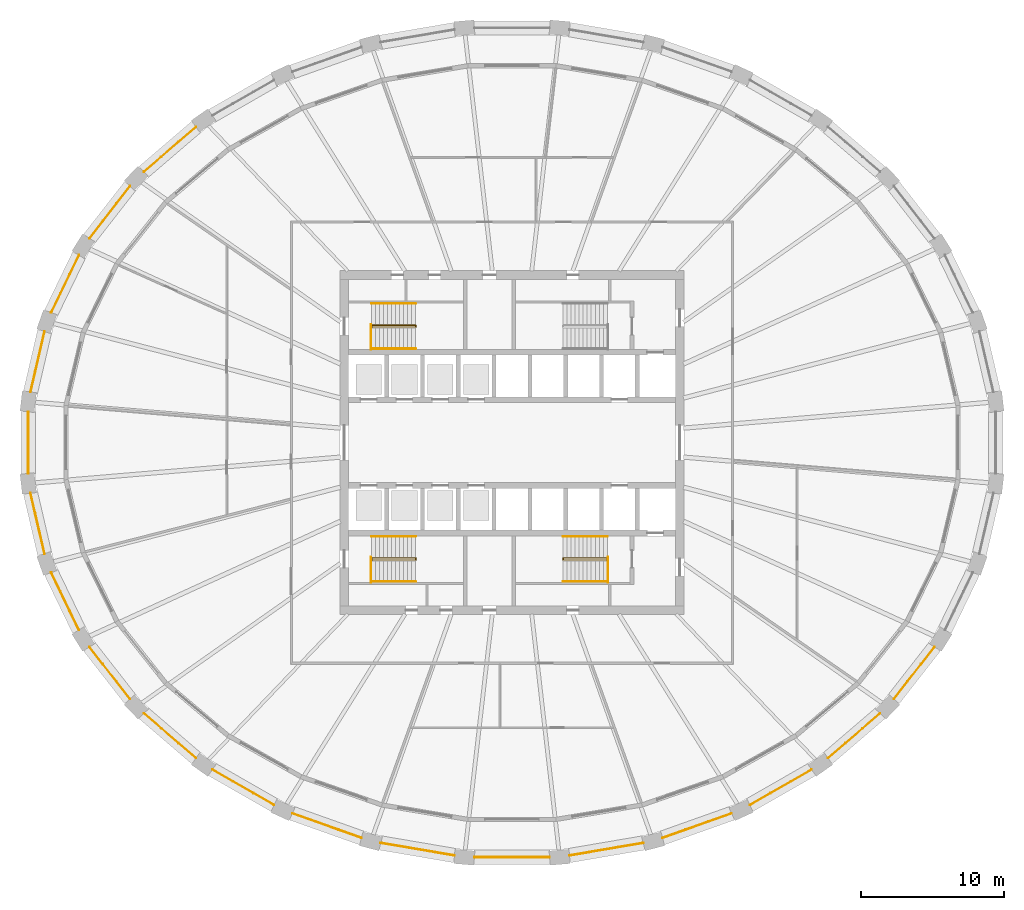
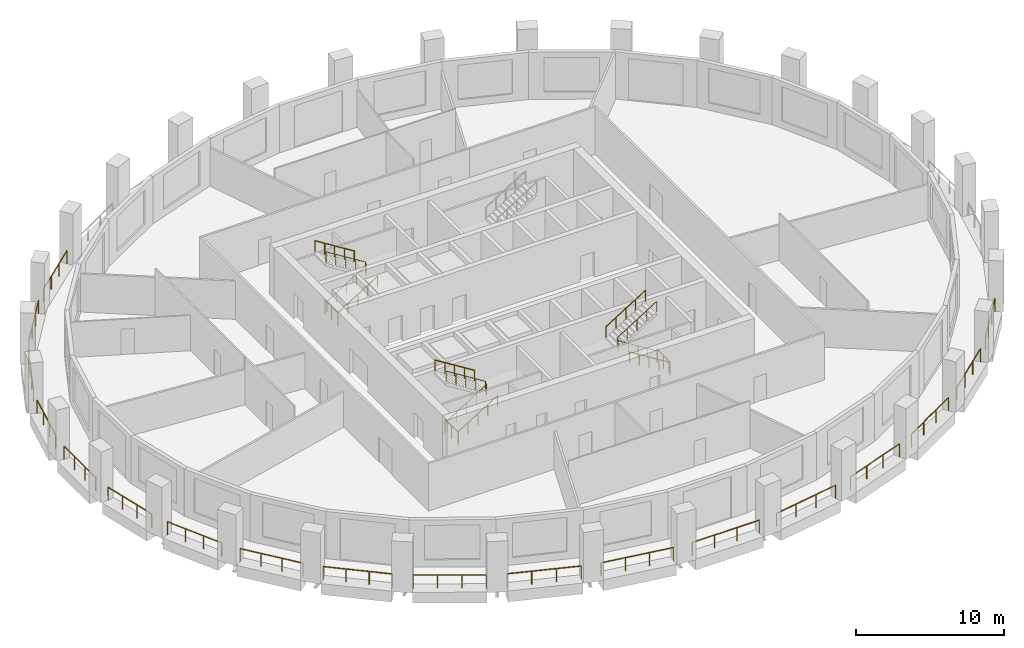
# One storey, part 8 of 10: 30 railings.
"""IFC4 building model written with IfcOpenShell, lengths in metres."""

from ifc_helpers import new_model, si_unit, direction, frame, origin, origin_2d, place, context, subcontext, project, spatial, circle, extrude, material, type_object, element, save


model = new_model("IFC4")

# Units and contexts
model_context = context("Model", 3, precision=1e-05, world=origin(), true_north=direction((0.0, 1.0)))
body_context = subcontext(model_context, "Body", "Model", "MODEL_VIEW")
ifc_project = project(units=[si_unit("LENGTHUNIT", "METRE"), si_unit("AREAUNIT", "SQUARE_METRE"), si_unit("VOLUMEUNIT", "CUBIC_METRE"), si_unit("PLANEANGLEUNIT", "RADIAN"), si_unit("MASSUNIT", "GRAM", prefix="KILO")], contexts=[model_context])

# Site, building, storey
site_placement = place(None, origin())
site = spatial("IfcSite", under=ifc_project, at=site_placement, CompositionType="ELEMENT")
building_placement = place(site_placement, origin())
building = spatial("IfcBuilding", under=site, at=building_placement, Name="Halqa Exchange Tower", CompositionType="ELEMENT")
storey_placement = place(building_placement, frame((0.0, 0.0, 159.10009765625)))
storey = spatial("IfcBuildingStorey", under=building, at=storey_placement, Name="L36", CompositionType="ELEMENT", Elevation=159.10009765625)

# Railings
ifc_material = material(Name="Stainless steel", Category="steel")
railing_type_1 = type_object("IfcRailingType", Name="Guard 1100 stainless steel", PredefinedType="GUARDRAIL", material=ifc_material)
railing_1_placement = place(storey_placement, frame((-22.05078125, 22.02001953125, 0.0)))
element("IfcRailing", 1, at=railing_1_placement, inside=storey, type_object=railing_type_1, Name="Loggia guard 12", PredefinedType="GUARDRAIL", context=body_context, shape_type="SweptSolid", body=[
    extrude(circle(Radius=0.02392578125, at=origin_2d()), frame((0.0, 0.0, 1.076171875), z_axis=(-0.759245815902, -0.650803957452, 0.0), x_axis=(0.650803957452, -0.759245815902, 0.0)), (0.0, 0.0, 1.0), 4.793212890625),
    extrude(circle(Radius=0.02099609375, at=origin_2d()), origin(), (0.0, 0.0, 1.0), 1.052001953125),
    extrude(circle(Radius=0.02099609375, at=origin_2d()), frame((-1.213134765625, -1.039794921875, 0.0)), (0.0, 0.0, 1.0), 1.052001953125),
    extrude(circle(Radius=0.02099609375, at=origin_2d()), frame((-2.426025390625, -2.07958984375, 0.0)), (0.0, 0.0, 1.0), 1.052001953125),
    extrude(circle(Radius=0.02099609375, at=origin_2d()), frame((-3.63916015625, -3.119384765625, 0.0)), (0.0, 0.0, 1.0), 1.052001953125),
])
railing_2_placement = place(storey_placement, frame((-26.65185546875, 17.89306640625, 0.0)))
element("IfcRailing", 2, at=railing_2_placement, inside=storey, type_object=railing_type_1, Name="Loggia guard 13", PredefinedType="GUARDRAIL", context=body_context, shape_type="SweptSolid", body=[
    extrude(circle(Radius=0.02392578125, at=origin_2d()), frame((0.0, 0.0, 1.076171875), z_axis=(-0.614787396714, -0.788692878655, 0.0), x_axis=(0.788692878655, -0.614787396714, 0.0)), (0.0, 0.0, 1.0), 4.60888671875),
    extrude(circle(Radius=0.02099609375, at=origin_2d()), origin(), (0.0, 0.0, 1.0), 1.052001953125),
    extrude(circle(Radius=0.02099609375, at=origin_2d()), frame((-0.944580078125, -1.211669921875, 0.0)), (0.0, 0.0, 1.0), 1.052001953125),
    extrude(circle(Radius=0.02099609375, at=origin_2d()), frame((-1.888916015625, -2.42333984375, 0.0)), (0.0, 0.0, 1.0), 1.052001953125),
    extrude(circle(Radius=0.02099609375, at=origin_2d()), frame((-2.83349609375, -3.635009765625, 0.0)), (0.0, 0.0, 1.0), 1.052001953125),
])
railing_3_placement = place(storey_placement, frame((-30.22021484375, 13.07568359375, 0.0)))
element("IfcRailing", 3, at=railing_3_placement, inside=storey, type_object=railing_type_1, Name="Loggia guard 14", PredefinedType="GUARDRAIL", context=body_context, shape_type="SweptSolid", body=[
    extrude(circle(Radius=0.02392578125, at=origin_2d()), frame((0.0, 0.0, 1.076171875), z_axis=(-0.435143450916, -0.900361137058, 0.0), x_axis=(0.900361137058, -0.435143450916, 0.0)), (0.0, 0.0, 1.0), 4.44873046875),
    extrude(circle(Radius=0.02099609375, at=origin_2d()), origin(), (0.0, 0.0, 1.0), 1.052001953125),
    extrude(circle(Radius=0.02099609375, at=origin_2d()), frame((-0.645263671875, -1.335205078125, 0.0)), (0.0, 0.0, 1.0), 1.052001953125),
    extrude(circle(Radius=0.02099609375, at=origin_2d()), frame((-1.29052734375, -2.670166015625, 0.0)), (0.0, 0.0, 1.0), 1.052001953125),
    extrude(circle(Radius=0.02099609375, at=origin_2d()), frame((-1.935791015625, -4.00537109375, 0.0)), (0.0, 0.0, 1.0), 1.052001953125),
])
railing_4_placement = place(storey_placement, frame((-32.61865234375, 7.75830078125, 0.0)))
element("IfcRailing", 4, at=railing_4_placement, inside=storey, type_object=railing_type_1, Name="Loggia guard 15", PredefinedType="GUARDRAIL", context=body_context, shape_type="SweptSolid", body=[
    extrude(circle(Radius=0.02392578125, at=origin_2d()), frame((0.0, 0.0, 1.076171875), z_axis=(-0.226083943623, -0.974107822798, 0.0), x_axis=(0.974107822798, -0.226083943623, 0.0)), (0.0, 0.0, 1.0), 4.3388671875),
    extrude(circle(Radius=0.02099609375, at=origin_2d()), origin(), (0.0, 0.0, 1.0), 1.052001953125),
    extrude(circle(Radius=0.02099609375, at=origin_2d()), frame((-0.326904296875, -1.408935546875, 0.0)), (0.0, 0.0, 1.0), 1.052001953125),
    extrude(circle(Radius=0.02099609375, at=origin_2d()), frame((-0.654052734375, -2.817626953125, 0.0)), (0.0, 0.0, 1.0), 1.052001953125),
    extrude(circle(Radius=0.02099609375, at=origin_2d()), frame((-0.98095703125, -4.2265625, 0.0)), (0.0, 0.0, 1.0), 1.052001953125),
])
railing_5_placement = place(storey_placement, frame((-33.7578125, 2.14990234375, 0.0)))
element("IfcRailing", 5, at=railing_5_placement, inside=storey, type_object=railing_type_1, Name="Loggia guard 16", PredefinedType="GUARDRAIL", context=body_context, shape_type="SweptSolid", body=[
    extrude(circle(Radius=0.02392578125, at=origin_2d()), frame((0.0, 0.0, 1.076171875), z_axis=(0.0, -1.0, 0.0), x_axis=(1.0, 0.0, 0.0)), (0.0, 0.0, 1.0), 4.2998046875),
    extrude(circle(Radius=0.02099609375, at=origin_2d()), origin(), (0.0, 0.0, 1.0), 1.052001953125),
    extrude(circle(Radius=0.02099609375, at=origin_2d()), frame((0.0, -1.433349609375, 0.0)), (0.0, 0.0, 1.0), 1.052001953125),
    extrude(circle(Radius=0.02099609375, at=origin_2d()), frame((0.0, -2.866455078125, 0.0)), (0.0, 0.0, 1.0), 1.052001953125),
    extrude(circle(Radius=0.02099609375, at=origin_2d()), frame((0.0, -4.2998046875, 0.0)), (0.0, 0.0, 1.0), 1.052001953125),
])
railing_6_placement = place(storey_placement, frame((-33.599609375, -3.53173828125, 0.0)))
element("IfcRailing", 6, at=railing_6_placement, inside=storey, type_object=railing_type_1, Name="Loggia guard 17", PredefinedType="GUARDRAIL", context=body_context, shape_type="SweptSolid", body=[
    extrude(circle(Radius=0.02392578125, at=origin_2d()), frame((0.0, 0.0, 1.076171875), z_axis=(0.226083943623, -0.974107822798, 0.0), x_axis=(0.974107822798, 0.226083943623, 0.0)), (0.0, 0.0, 1.0), 4.3388671875),
    extrude(circle(Radius=0.02099609375, at=origin_2d()), origin(), (0.0, 0.0, 1.0), 1.052001953125),
    extrude(circle(Radius=0.02099609375, at=origin_2d()), frame((0.326904296875, -1.408935546875, 0.0)), (0.0, 0.0, 1.0), 1.052001953125),
    extrude(circle(Radius=0.02099609375, at=origin_2d()), frame((0.654052734375, -2.817626953125, 0.0)), (0.0, 0.0, 1.0), 1.052001953125),
    extrude(circle(Radius=0.02099609375, at=origin_2d()), frame((0.98095703125, -4.2265625, 0.0)), (0.0, 0.0, 1.0), 1.052001953125),
])
railing_7_placement = place(storey_placement, frame((-32.156005859375, -9.0703125, 0.0)))
element("IfcRailing", 7, at=railing_7_placement, inside=storey, type_object=railing_type_1, Name="Loggia guard 18", PredefinedType="GUARDRAIL", context=body_context, shape_type="SweptSolid", body=[
    extrude(circle(Radius=0.02392578125, at=origin_2d()), frame((0.0, 0.0, 1.076171875), z_axis=(0.435143450916, -0.900361137058, 0.0), x_axis=(0.900361137058, 0.435143450916, 0.0)), (0.0, 0.0, 1.0), 4.44873046875),
    extrude(circle(Radius=0.02099609375, at=origin_2d()), origin(), (0.0, 0.0, 1.0), 1.052001953125),
    extrude(circle(Radius=0.02099609375, at=origin_2d()), frame((0.645263671875, -1.335205078125, 0.0)), (0.0, 0.0, 1.0), 1.052001953125),
    extrude(circle(Radius=0.02099609375, at=origin_2d()), frame((1.29052734375, -2.670166015625, 0.0)), (0.0, 0.0, 1.0), 1.052001953125),
    extrude(circle(Radius=0.02099609375, at=origin_2d()), frame((1.935791015625, -4.00537109375, 0.0)), (0.0, 0.0, 1.0), 1.052001953125),
])
railing_8_placement = place(storey_placement, frame((-29.4853515625, -14.258056640625, 0.0)))
element("IfcRailing", 8, at=railing_8_placement, inside=storey, type_object=railing_type_1, Name="Loggia guard 19", PredefinedType="GUARDRAIL", context=body_context, shape_type="SweptSolid", body=[
    extrude(circle(Radius=0.02392578125, at=origin_2d()), frame((0.0, 0.0, 1.076171875), z_axis=(0.614787396714, -0.788692878655, 0.0), x_axis=(0.788692878655, 0.614787396714, 0.0)), (0.0, 0.0, 1.0), 4.60888671875),
    extrude(circle(Radius=0.02099609375, at=origin_2d()), origin(), (0.0, 0.0, 1.0), 1.052001953125),
    extrude(circle(Radius=0.02099609375, at=origin_2d()), frame((0.944580078125, -1.211669921875, 0.0)), (0.0, 0.0, 1.0), 1.052001953125),
    extrude(circle(Radius=0.02099609375, at=origin_2d()), frame((1.888916015625, -2.42333984375, 0.0)), (0.0, 0.0, 1.0), 1.052001953125),
    extrude(circle(Radius=0.02099609375, at=origin_2d()), frame((2.83349609375, -3.635009765625, 0.0)), (0.0, 0.0, 1.0), 1.052001953125),
])
railing_9_placement = place(storey_placement, frame((-25.68994140625, -18.900634765625, 0.0)))
element("IfcRailing", 9, at=railing_9_placement, inside=storey, type_object=railing_type_1, Name="Loggia guard 20", PredefinedType="GUARDRAIL", context=body_context, shape_type="SweptSolid", body=[
    extrude(circle(Radius=0.02392578125, at=origin_2d()), frame((0.0, 0.0, 1.076171875), z_axis=(0.759245815902, -0.650803957452, 0.0), x_axis=(0.650803957452, 0.759245815902, 0.0)), (0.0, 0.0, 1.0), 4.793212890625),
    extrude(circle(Radius=0.02099609375, at=origin_2d()), origin(), (0.0, 0.0, 1.0), 1.052001953125),
    extrude(circle(Radius=0.02099609375, at=origin_2d()), frame((1.213134765625, -1.039794921875, 0.0)), (0.0, 0.0, 1.0), 1.052001953125),
    extrude(circle(Radius=0.02099609375, at=origin_2d()), frame((2.426025390625, -2.07958984375, 0.0)), (0.0, 0.0, 1.0), 1.052001953125),
    extrude(circle(Radius=0.02099609375, at=origin_2d()), frame((3.63916015625, -3.119384765625, 0.0)), (0.0, 0.0, 1.0), 1.052001953125),
])
railing_10_placement = place(storey_placement, frame((-20.911865234375, -22.8232421875, 0.0)))
element("IfcRailing", 10, at=railing_10_placement, inside=storey, type_object=railing_type_1, Name="Loggia guard 21", PredefinedType="GUARDRAIL", context=body_context, shape_type="SweptSolid", body=[
    extrude(circle(Radius=0.02392578125, at=origin_2d()), frame((0.0, 0.0, 1.076171875), z_axis=(0.867750144397, -0.497000691044, 0.0), x_axis=(0.497000691044, 0.867750144397, 0.0)), (0.0, 0.0, 1.0), 4.9716796875),
    extrude(circle(Radius=0.02099609375, at=origin_2d()), origin(), (0.0, 0.0, 1.0), 1.052001953125),
    extrude(circle(Radius=0.02099609375, at=origin_2d()), frame((1.43798828125, -0.82373046875, 0.0)), (0.0, 0.0, 1.0), 1.052001953125),
    extrude(circle(Radius=0.02099609375, at=origin_2d()), frame((2.876220703125, -1.647216796875, 0.0)), (0.0, 0.0, 1.0), 1.052001953125),
    extrude(circle(Radius=0.02099609375, at=origin_2d()), frame((4.314208984375, -2.470947265625, 0.0)), (0.0, 0.0, 1.0), 1.052001953125),
])
railing_11_placement = place(storey_placement, frame((-15.33056640625, -25.876220703125, 0.0)))
element("IfcRailing", 11, at=railing_11_placement, inside=storey, type_object=railing_type_1, Name="Loggia guard 22", PredefinedType="GUARDRAIL", context=body_context, shape_type="SweptSolid", body=[
    extrude(circle(Radius=0.02392578125, at=origin_2d()), frame((0.0, 0.0, 1.076171875), z_axis=(0.942356449768, -0.334610701532, 0.0), x_axis=(0.334610701532, 0.942356449768, 0.0)), (0.0, 0.0, 1.0), 5.119140625),
    extrude(circle(Radius=0.02099609375, at=origin_2d()), origin(), (0.0, 0.0, 1.0), 1.052001953125),
    extrude(circle(Radius=0.02099609375, at=origin_2d()), frame((1.60791015625, -0.571044921875, 0.0)), (0.0, 0.0, 1.0), 1.052001953125),
    extrude(circle(Radius=0.02099609375, at=origin_2d()), frame((3.216064453125, -1.141845703125, 0.0)), (0.0, 0.0, 1.0), 1.052001953125),
    extrude(circle(Radius=0.02099609375, at=origin_2d()), frame((4.823974609375, -1.712890625, 0.0)), (0.0, 0.0, 1.0), 1.052001953125),
])
railing_12_placement = place(storey_placement, frame((-9.15673828125, -27.94091796875, 0.0)))
element("IfcRailing", 12, at=railing_12_placement, inside=storey, type_object=railing_type_1, Name="Loggia guard 23", PredefinedType="GUARDRAIL", context=body_context, shape_type="SweptSolid", body=[
    extrude(circle(Radius=0.02392578125, at=origin_2d()), frame((0.0, 0.0, 1.076171875), z_axis=(0.985781275518, -0.168033558668, 0.0), x_axis=(0.168033558668, 0.985781275518, 0.0)), (0.0, 0.0, 1.0), 5.216064453125),
    extrude(circle(Radius=0.02099609375, at=origin_2d()), origin(), (0.0, 0.0, 1.0), 1.052001953125),
    extrude(circle(Radius=0.02099609375, at=origin_2d()), frame((1.7138671875, -0.292236328125, 0.0)), (0.0, 0.0, 1.0), 1.052001953125),
    extrude(circle(Radius=0.02099609375, at=origin_2d()), frame((3.427978515625, -0.584228515625, 0.0)), (0.0, 0.0, 1.0), 1.052001953125),
    extrude(circle(Radius=0.02099609375, at=origin_2d()), frame((5.141845703125, -0.87646484375, 0.0)), (0.0, 0.0, 1.0), 1.052001953125),
])
railing_13_placement = place(storey_placement, frame((-2.624755859375, -28.935302734375, 0.0)))
element("IfcRailing", 13, at=railing_13_placement, inside=storey, type_object=railing_type_1, Name="Loggia guard 24", PredefinedType="GUARDRAIL", context=body_context, shape_type="SweptSolid", body=[
    extrude(circle(Radius=0.02392578125, at=origin_2d()), frame((0.0, 0.0, 1.076171875), z_axis=(1.0, 0.0, 0.0), x_axis=(0.0, 1.0, 0.0)), (0.0, 0.0, 1.0), 5.24951171875),
    extrude(circle(Radius=0.02099609375, at=origin_2d()), origin(), (0.0, 0.0, 1.0), 1.052001953125),
    extrude(circle(Radius=0.02099609375, at=origin_2d()), frame((1.749755859375, 0.0, 0.0)), (0.0, 0.0, 1.0), 1.052001953125),
    extrude(circle(Radius=0.02099609375, at=origin_2d()), frame((3.499755859375, 0.0, 0.0)), (0.0, 0.0, 1.0), 1.052001953125),
    extrude(circle(Radius=0.02099609375, at=origin_2d()), frame((5.24951171875, 0.0, 0.0)), (0.0, 0.0, 1.0), 1.052001953125),
])
railing_14_placement = place(storey_placement, frame((4.014892578125, -28.8173828125, 0.0)))
element("IfcRailing", 14, at=railing_14_placement, inside=storey, type_object=railing_type_1, Name="Loggia guard 25", PredefinedType="GUARDRAIL", context=body_context, shape_type="SweptSolid", body=[
    extrude(circle(Radius=0.02392578125, at=origin_2d()), frame((0.0, 0.0, 1.076171875), z_axis=(0.985781275518, 0.168033558668, 0.0), x_axis=(-0.168033558668, 0.985781275518, 0.0)), (0.0, 0.0, 1.0), 5.216064453125),
    extrude(circle(Radius=0.02099609375, at=origin_2d()), origin(), (0.0, 0.0, 1.0), 1.052001953125),
    extrude(circle(Radius=0.02099609375, at=origin_2d()), frame((1.7138671875, 0.292236328125, 0.0)), (0.0, 0.0, 1.0), 1.052001953125),
    extrude(circle(Radius=0.02099609375, at=origin_2d()), frame((3.427978515625, 0.584228515625, 0.0)), (0.0, 0.0, 1.0), 1.052001953125),
    extrude(circle(Radius=0.02099609375, at=origin_2d()), frame((5.141845703125, 0.87646484375, 0.0)), (0.0, 0.0, 1.0), 1.052001953125),
])
railing_15_placement = place(storey_placement, frame((10.506591796875, -27.589111328125, 0.0)))
element("IfcRailing", 15, at=railing_15_placement, inside=storey, type_object=railing_type_1, Name="Loggia guard 26", PredefinedType="GUARDRAIL", context=body_context, shape_type="SweptSolid", body=[
    extrude(circle(Radius=0.02392578125, at=origin_2d()), frame((0.0, 0.0, 1.076171875), z_axis=(0.942356449768, 0.334610701532, 0.0), x_axis=(-0.334610701532, 0.942356449768, 0.0)), (0.0, 0.0, 1.0), 5.119140625),
    extrude(circle(Radius=0.02099609375, at=origin_2d()), origin(), (0.0, 0.0, 1.0), 1.052001953125),
    extrude(circle(Radius=0.02099609375, at=origin_2d()), frame((1.60791015625, 0.571044921875, 0.0)), (0.0, 0.0, 1.0), 1.052001953125),
    extrude(circle(Radius=0.02099609375, at=origin_2d()), frame((3.216064453125, 1.141845703125, 0.0)), (0.0, 0.0, 1.0), 1.052001953125),
    extrude(circle(Radius=0.02099609375, at=origin_2d()), frame((4.823974609375, 1.712890625, 0.0)), (0.0, 0.0, 1.0), 1.052001953125),
])
railing_16_placement = place(storey_placement, frame((16.59765625, -25.294189453125, 0.0)))
element("IfcRailing", 16, at=railing_16_placement, inside=storey, type_object=railing_type_1, Name="Loggia guard 27", PredefinedType="GUARDRAIL", context=body_context, shape_type="SweptSolid", body=[
    extrude(circle(Radius=0.02392578125, at=origin_2d()), frame((0.0, 0.0, 1.076171875), z_axis=(0.867750144397, 0.497000691044, 0.0), x_axis=(-0.497000691044, 0.867750144397, 0.0)), (0.0, 0.0, 1.0), 4.9716796875),
    extrude(circle(Radius=0.02099609375, at=origin_2d()), origin(), (0.0, 0.0, 1.0), 1.052001953125),
    extrude(circle(Radius=0.02099609375, at=origin_2d()), frame((1.43798828125, 0.82373046875, 0.0)), (0.0, 0.0, 1.0), 1.052001953125),
    extrude(circle(Radius=0.02099609375, at=origin_2d()), frame((2.876220703125, 1.647216796875, 0.0)), (0.0, 0.0, 1.0), 1.052001953125),
    extrude(circle(Radius=0.02099609375, at=origin_2d()), frame((4.314208984375, 2.470947265625, 0.0)), (0.0, 0.0, 1.0), 1.052001953125),
])
railing_17_placement = place(storey_placement, frame((22.05078125, -22.02001953125, 0.0)))
element("IfcRailing", 17, at=railing_17_placement, inside=storey, type_object=railing_type_1, Name="Loggia guard 28", PredefinedType="GUARDRAIL", context=body_context, shape_type="SweptSolid", body=[
    extrude(circle(Radius=0.02392578125, at=origin_2d()), frame((0.0, 0.0, 1.076171875), z_axis=(0.759245815902, 0.650803957452, 0.0), x_axis=(-0.650803957452, 0.759245815902, 0.0)), (0.0, 0.0, 1.0), 4.793212890625),
    extrude(circle(Radius=0.02099609375, at=origin_2d()), origin(), (0.0, 0.0, 1.0), 1.052001953125),
    extrude(circle(Radius=0.02099609375, at=origin_2d()), frame((1.213134765625, 1.039794921875, 0.0)), (0.0, 0.0, 1.0), 1.052001953125),
    extrude(circle(Radius=0.02099609375, at=origin_2d()), frame((2.426025390625, 2.07958984375, 0.0)), (0.0, 0.0, 1.0), 1.052001953125),
    extrude(circle(Radius=0.02099609375, at=origin_2d()), frame((3.63916015625, 3.119384765625, 0.0)), (0.0, 0.0, 1.0), 1.052001953125),
])
railing_18_placement = place(storey_placement, frame((26.65185546875, -17.89306640625, 0.0)))
element("IfcRailing", 18, at=railing_18_placement, inside=storey, type_object=railing_type_1, Name="Loggia guard 29", PredefinedType="GUARDRAIL", context=body_context, shape_type="SweptSolid", body=[
    extrude(circle(Radius=0.02392578125, at=origin_2d()), frame((0.0, 0.0, 1.076171875), z_axis=(0.614787396714, 0.788692878655, 0.0), x_axis=(-0.788692878655, 0.614787396714, 0.0)), (0.0, 0.0, 1.0), 4.60888671875),
    extrude(circle(Radius=0.02099609375, at=origin_2d()), origin(), (0.0, 0.0, 1.0), 1.052001953125),
    extrude(circle(Radius=0.02099609375, at=origin_2d()), frame((0.944580078125, 1.211669921875, 0.0)), (0.0, 0.0, 1.0), 1.052001953125),
    extrude(circle(Radius=0.02099609375, at=origin_2d()), frame((1.888916015625, 2.42333984375, 0.0)), (0.0, 0.0, 1.0), 1.052001953125),
    extrude(circle(Radius=0.02099609375, at=origin_2d()), frame((2.83349609375, 3.635009765625, 0.0)), (0.0, 0.0, 1.0), 1.052001953125),
])
railing_type_2 = type_object("IfcRailingType", Name="Stair handrail 900", PredefinedType="HANDRAIL", material=ifc_material)
railing_19_placement = place(storey_placement, frame((-9.800048828125, 8.06005859375, 0.1748046875)))
element("IfcRailing", 19, at=railing_19_placement, inside=storey, type_object=railing_type_2, Name="Handrail ST1.1", PredefinedType="HANDRAIL", context=body_context, shape_type="SweptSolid", body=[
    extrude(circle(Radius=0.02392578125, at=origin_2d()), frame((0.0, 0.0, 0.8759765625), z_axis=(0.847998304005, 0.0, 0.529998940003), x_axis=(0.0, 1.0, 0.0)), (0.0, 0.0, 1.0), 3.632080078125),
    extrude(circle(Radius=0.02392578125, at=origin_2d()), frame((3.080078125, 0.0, 2.80078125), z_axis=(0.0, 0.595870227118, 0.803080738428), x_axis=(-1.0, 0.0, 0.0)), (0.0, 0.0, 1.0), 0.218017578125),
    extrude(circle(Radius=0.02392578125, at=origin_2d()), frame((3.080078125, 0.1298828125, 2.97607421875), z_axis=(-0.847998304005, 0.0, 0.529998940003), x_axis=(0.0, -1.0, 0.0)), (0.0, 0.0, 1.0), 3.632080078125),
    extrude(circle(Radius=0.02099609375, at=origin_2d()), origin(), (0.0, 0.0, 1.0), 0.851806640625),
    extrude(circle(Radius=0.02099609375, at=origin_2d()), frame((0.77001953125, 0.0, 0.481201171875)), (0.0, 0.0, 1.0), 0.851806640625),
    extrude(circle(Radius=0.02099609375, at=origin_2d()), frame((1.5400390625, 0.0, 0.96240234375)), (0.0, 0.0, 1.0), 0.851806640625),
    extrude(circle(Radius=0.02099609375, at=origin_2d()), frame((2.31005859375, 0.0, 1.44384765625)), (0.0, 0.0, 1.0), 0.851806640625),
    extrude(circle(Radius=0.02099609375, at=origin_2d()), frame((3.080078125, 0.0, 1.925048828125)), (0.0, 0.0, 1.0), 0.851806640625),
    extrude(circle(Radius=0.02099609375, at=origin_2d()), frame((3.080078125, 0.1298828125, 2.10009765625)), (0.0, 0.0, 1.0), 0.851806640625),
    extrude(circle(Radius=0.02099609375, at=origin_2d()), frame((2.31005859375, 0.1298828125, 2.581298828125)), (0.0, 0.0, 1.0), 0.851806640625),
    extrude(circle(Radius=0.02099609375, at=origin_2d()), frame((1.5400390625, 0.1298828125, 3.0625)), (0.0, 0.0, 1.0), 0.851806640625),
    extrude(circle(Radius=0.02099609375, at=origin_2d()), frame((0.77001953125, 0.1298828125, 3.5439453125)), (0.0, 0.0, 1.0), 0.851806640625),
    extrude(circle(Radius=0.02099609375, at=origin_2d()), frame((0.0, 0.1298828125, 4.025146484375)), (0.0, 0.0, 1.0), 0.851806640625),
])
railing_20_placement = place(storey_placement, frame((-9.800048828125, 6.550048828125, 0.1748046875)))
element("IfcRailing", 20, at=railing_20_placement, inside=storey, type_object=railing_type_2, Name="Handrail ST1.2", PredefinedType="HANDRAIL", context=body_context, shape_type="SweptSolid", body=[
    extrude(circle(Radius=0.02392578125, at=origin_2d()), frame((0.0, 0.0, 0.8759765625), z_axis=(0.847998304005, 0.0, 0.529998940003), x_axis=(0.0, 1.0, 0.0)), (0.0, 0.0, 1.0), 3.632080078125),
    extrude(circle(Radius=0.02099609375, at=origin_2d()), origin(), (0.0, 0.0, 1.0), 0.851806640625),
    extrude(circle(Radius=0.02099609375, at=origin_2d()), frame((0.77001953125, 0.0, 0.481201171875)), (0.0, 0.0, 1.0), 0.851806640625),
    extrude(circle(Radius=0.02099609375, at=origin_2d()), frame((1.5400390625, 0.0, 0.96240234375)), (0.0, 0.0, 1.0), 0.851806640625),
    extrude(circle(Radius=0.02099609375, at=origin_2d()), frame((2.31005859375, 0.0, 1.44384765625)), (0.0, 0.0, 1.0), 0.851806640625),
    extrude(circle(Radius=0.02099609375, at=origin_2d()), frame((3.080078125, 0.0, 1.925048828125)), (0.0, 0.0, 1.0), 0.851806640625),
])
railing_21_placement = place(storey_placement, frame((-6.719970703125, 9.699951171875, 2.27490234375)))
element("IfcRailing", 21, at=railing_21_placement, inside=storey, type_object=railing_type_2, Name="Handrail ST1.3", PredefinedType="HANDRAIL", context=body_context, shape_type="SweptSolid", body=[
    extrude(circle(Radius=0.02392578125, at=origin_2d()), frame((0.0, 0.0, 0.8759765625), z_axis=(-0.847998304005, 0.0, 0.529998940003), x_axis=(0.0, -1.0, 0.0)), (0.0, 0.0, 1.0), 3.632080078125),
    extrude(circle(Radius=0.02099609375, at=origin_2d()), origin(), (0.0, 0.0, 1.0), 0.851806640625),
    extrude(circle(Radius=0.02099609375, at=origin_2d()), frame((-0.77001953125, 0.0, 0.481201171875)), (0.0, 0.0, 1.0), 0.851806640625),
    extrude(circle(Radius=0.02099609375, at=origin_2d()), frame((-1.5400390625, 0.0, 0.96240234375)), (0.0, 0.0, 1.0), 0.851806640625),
    extrude(circle(Radius=0.02099609375, at=origin_2d()), frame((-2.31005859375, 0.0, 1.44384765625)), (0.0, 0.0, 1.0), 0.851806640625),
    extrude(circle(Radius=0.02099609375, at=origin_2d()), frame((-3.080078125, 0.0, 1.925048828125)), (0.0, 0.0, 1.0), 0.851806640625),
])
railing_22_placement = place(storey_placement, frame((-9.800048828125, -8.18994140625, 0.1748046875)))
element("IfcRailing", 22, at=railing_22_placement, inside=storey, type_object=railing_type_2, Name="Handrail ST3.1", PredefinedType="HANDRAIL", context=body_context, shape_type="SweptSolid", body=[
    extrude(circle(Radius=0.02392578125, at=origin_2d()), frame((0.0, 0.0, 0.8759765625), z_axis=(0.847998304005, 0.0, 0.529998940003), x_axis=(0.0, 1.0, 0.0)), (0.0, 0.0, 1.0), 3.632080078125),
    extrude(circle(Radius=0.02392578125, at=origin_2d()), frame((3.080078125, 0.0, 2.80078125), z_axis=(0.0, 0.595870227118, 0.803080738428), x_axis=(-1.0, 0.0, 0.0)), (0.0, 0.0, 1.0), 0.218017578125),
    extrude(circle(Radius=0.02392578125, at=origin_2d()), frame((3.080078125, 0.1298828125, 2.97607421875), z_axis=(-0.847998304005, 0.0, 0.529998940003), x_axis=(0.0, -1.0, 0.0)), (0.0, 0.0, 1.0), 3.632080078125),
    extrude(circle(Radius=0.02099609375, at=origin_2d()), origin(), (0.0, 0.0, 1.0), 0.851806640625),
    extrude(circle(Radius=0.02099609375, at=origin_2d()), frame((0.77001953125, 0.0, 0.481201171875)), (0.0, 0.0, 1.0), 0.851806640625),
    extrude(circle(Radius=0.02099609375, at=origin_2d()), frame((1.5400390625, 0.0, 0.96240234375)), (0.0, 0.0, 1.0), 0.851806640625),
    extrude(circle(Radius=0.02099609375, at=origin_2d()), frame((2.31005859375, 0.0, 1.44384765625)), (0.0, 0.0, 1.0), 0.851806640625),
    extrude(circle(Radius=0.02099609375, at=origin_2d()), frame((3.080078125, 0.0, 1.925048828125)), (0.0, 0.0, 1.0), 0.851806640625),
    extrude(circle(Radius=0.02099609375, at=origin_2d()), frame((3.080078125, 0.1298828125, 2.10009765625)), (0.0, 0.0, 1.0), 0.851806640625),
    extrude(circle(Radius=0.02099609375, at=origin_2d()), frame((2.31005859375, 0.1298828125, 2.581298828125)), (0.0, 0.0, 1.0), 0.851806640625),
    extrude(circle(Radius=0.02099609375, at=origin_2d()), frame((1.5400390625, 0.1298828125, 3.0625)), (0.0, 0.0, 1.0), 0.851806640625),
    extrude(circle(Radius=0.02099609375, at=origin_2d()), frame((0.77001953125, 0.1298828125, 3.5439453125)), (0.0, 0.0, 1.0), 0.851806640625),
    extrude(circle(Radius=0.02099609375, at=origin_2d()), frame((0.0, 0.1298828125, 4.025146484375)), (0.0, 0.0, 1.0), 0.851806640625),
])
railing_23_placement = place(storey_placement, frame((-9.800048828125, -9.699951171875, 0.1748046875)))
element("IfcRailing", 23, at=railing_23_placement, inside=storey, type_object=railing_type_2, Name="Handrail ST3.2", PredefinedType="HANDRAIL", context=body_context, shape_type="SweptSolid", body=[
    extrude(circle(Radius=0.02392578125, at=origin_2d()), frame((0.0, 0.0, 0.8759765625), z_axis=(0.847998304005, 0.0, 0.529998940003), x_axis=(0.0, 1.0, 0.0)), (0.0, 0.0, 1.0), 3.632080078125),
    extrude(circle(Radius=0.02099609375, at=origin_2d()), origin(), (0.0, 0.0, 1.0), 0.851806640625),
    extrude(circle(Radius=0.02099609375, at=origin_2d()), frame((0.77001953125, 0.0, 0.481201171875)), (0.0, 0.0, 1.0), 0.851806640625),
    extrude(circle(Radius=0.02099609375, at=origin_2d()), frame((1.5400390625, 0.0, 0.96240234375)), (0.0, 0.0, 1.0), 0.851806640625),
    extrude(circle(Radius=0.02099609375, at=origin_2d()), frame((2.31005859375, 0.0, 1.44384765625)), (0.0, 0.0, 1.0), 0.851806640625),
    extrude(circle(Radius=0.02099609375, at=origin_2d()), frame((3.080078125, 0.0, 1.925048828125)), (0.0, 0.0, 1.0), 0.851806640625),
])
railing_24_placement = place(storey_placement, frame((-6.719970703125, -6.550048828125, 2.27490234375)))
element("IfcRailing", 24, at=railing_24_placement, inside=storey, type_object=railing_type_2, Name="Handrail ST3.3", PredefinedType="HANDRAIL", context=body_context, shape_type="SweptSolid", body=[
    extrude(circle(Radius=0.02392578125, at=origin_2d()), frame((0.0, 0.0, 0.8759765625), z_axis=(-0.847998304005, 0.0, 0.529998940003), x_axis=(0.0, -1.0, 0.0)), (0.0, 0.0, 1.0), 3.632080078125),
    extrude(circle(Radius=0.02099609375, at=origin_2d()), origin(), (0.0, 0.0, 1.0), 0.851806640625),
    extrude(circle(Radius=0.02099609375, at=origin_2d()), frame((-0.77001953125, 0.0, 0.481201171875)), (0.0, 0.0, 1.0), 0.851806640625),
    extrude(circle(Radius=0.02099609375, at=origin_2d()), frame((-1.5400390625, 0.0, 0.96240234375)), (0.0, 0.0, 1.0), 0.851806640625),
    extrude(circle(Radius=0.02099609375, at=origin_2d()), frame((-2.31005859375, 0.0, 1.44384765625)), (0.0, 0.0, 1.0), 0.851806640625),
    extrude(circle(Radius=0.02099609375, at=origin_2d()), frame((-3.080078125, 0.0, 1.925048828125)), (0.0, 0.0, 1.0), 0.851806640625),
])
railing_25_placement = place(storey_placement, frame((6.64990234375, -8.18994140625, 0.1748046875)))
element("IfcRailing", 25, at=railing_25_placement, inside=storey, type_object=railing_type_2, Name="Handrail ST4.1", PredefinedType="HANDRAIL", context=body_context, shape_type="SweptSolid", body=[
    extrude(circle(Radius=0.02392578125, at=origin_2d()), frame((0.0, 0.0, 0.8759765625), z_axis=(-0.847979421464, 0.0, 0.530029150871), x_axis=(0.0, -1.0, 0.0)), (0.0, 0.0, 1.0), 3.632080078125),
    extrude(circle(Radius=0.02392578125, at=origin_2d()), frame((-3.079833984375, 0.0, 2.80078125), z_axis=(0.0, 0.595870227118, 0.803080738428), x_axis=(-1.0, 0.0, 0.0)), (0.0, 0.0, 1.0), 0.218017578125),
    extrude(circle(Radius=0.02392578125, at=origin_2d()), frame((-3.079833984375, 0.1298828125, 2.97607421875), z_axis=(0.847979421464, 0.0, 0.530029150871), x_axis=(0.0, 1.0, 0.0)), (0.0, 0.0, 1.0), 3.632080078125),
    extrude(circle(Radius=0.02099609375, at=origin_2d()), origin(), (0.0, 0.0, 1.0), 0.851806640625),
    extrude(circle(Radius=0.02099609375, at=origin_2d()), frame((-0.77001953125, 0.0, 0.481201171875)), (0.0, 0.0, 1.0), 0.851806640625),
    extrude(circle(Radius=0.02099609375, at=origin_2d()), frame((-1.5400390625, 0.0, 0.96240234375)), (0.0, 0.0, 1.0), 0.851806640625),
    extrude(circle(Radius=0.02099609375, at=origin_2d()), frame((-2.309814453125, 0.0, 1.44384765625)), (0.0, 0.0, 1.0), 0.851806640625),
    extrude(circle(Radius=0.02099609375, at=origin_2d()), frame((-3.079833984375, 0.0, 1.925048828125)), (0.0, 0.0, 1.0), 0.851806640625),
    extrude(circle(Radius=0.02099609375, at=origin_2d()), frame((-3.079833984375, 0.1298828125, 2.10009765625)), (0.0, 0.0, 1.0), 0.851806640625),
    extrude(circle(Radius=0.02099609375, at=origin_2d()), frame((-2.309814453125, 0.1298828125, 2.581298828125)), (0.0, 0.0, 1.0), 0.851806640625),
    extrude(circle(Radius=0.02099609375, at=origin_2d()), frame((-1.5400390625, 0.1298828125, 3.0625)), (0.0, 0.0, 1.0), 0.851806640625),
    extrude(circle(Radius=0.02099609375, at=origin_2d()), frame((-0.77001953125, 0.1298828125, 3.5439453125)), (0.0, 0.0, 1.0), 0.851806640625),
    extrude(circle(Radius=0.02099609375, at=origin_2d()), frame((0.0, 0.1298828125, 4.025146484375)), (0.0, 0.0, 1.0), 0.851806640625),
])
railing_26_placement = place(storey_placement, frame((6.64990234375, -9.699951171875, 0.1748046875)))
element("IfcRailing", 26, at=railing_26_placement, inside=storey, type_object=railing_type_2, Name="Handrail ST4.2", PredefinedType="HANDRAIL", context=body_context, shape_type="SweptSolid", body=[
    extrude(circle(Radius=0.02392578125, at=origin_2d()), frame((0.0, 0.0, 0.8759765625), z_axis=(-0.847979421464, 0.0, 0.530029150871), x_axis=(0.0, -1.0, 0.0)), (0.0, 0.0, 1.0), 3.632080078125),
    extrude(circle(Radius=0.02099609375, at=origin_2d()), origin(), (0.0, 0.0, 1.0), 0.851806640625),
    extrude(circle(Radius=0.02099609375, at=origin_2d()), frame((-0.77001953125, 0.0, 0.481201171875)), (0.0, 0.0, 1.0), 0.851806640625),
    extrude(circle(Radius=0.02099609375, at=origin_2d()), frame((-1.5400390625, 0.0, 0.96240234375)), (0.0, 0.0, 1.0), 0.851806640625),
    extrude(circle(Radius=0.02099609375, at=origin_2d()), frame((-2.309814453125, 0.0, 1.44384765625)), (0.0, 0.0, 1.0), 0.851806640625),
    extrude(circle(Radius=0.02099609375, at=origin_2d()), frame((-3.079833984375, 0.0, 1.925048828125)), (0.0, 0.0, 1.0), 0.851806640625),
])
railing_27_placement = place(storey_placement, frame((3.570068359375, -6.550048828125, 2.27490234375)))
element("IfcRailing", 27, at=railing_27_placement, inside=storey, type_object=railing_type_2, Name="Handrail ST4.3", PredefinedType="HANDRAIL", context=body_context, shape_type="SweptSolid", body=[
    extrude(circle(Radius=0.02392578125, at=origin_2d()), frame((0.0, 0.0, 0.8759765625), z_axis=(0.847979421464, 0.0, 0.530029150871), x_axis=(0.0, 1.0, 0.0)), (0.0, 0.0, 1.0), 3.632080078125),
    extrude(circle(Radius=0.02099609375, at=origin_2d()), origin(), (0.0, 0.0, 1.0), 0.851806640625),
    extrude(circle(Radius=0.02099609375, at=origin_2d()), frame((0.77001953125, 0.0, 0.481201171875)), (0.0, 0.0, 1.0), 0.851806640625),
    extrude(circle(Radius=0.02099609375, at=origin_2d()), frame((1.5400390625, 0.0, 0.96240234375)), (0.0, 0.0, 1.0), 0.851806640625),
    extrude(circle(Radius=0.02099609375, at=origin_2d()), frame((2.309814453125, 0.0, 1.44384765625)), (0.0, 0.0, 1.0), 0.851806640625),
    extrude(circle(Radius=0.02099609375, at=origin_2d()), frame((3.079833984375, 0.0, 1.925048828125)), (0.0, 0.0, 1.0), 0.851806640625),
])
railing_type_3 = type_object("IfcRailingType", Name="Stair well guard 1100", PredefinedType="GUARDRAIL", material=ifc_material)
for number, where, name in (
    (28, (-9.85009765625, 6.5, 0.0), "Guard ST1 well"),
    (29, (-9.85009765625, -9.75, 0.0), "Guard ST3 well"),
    (30, (6.699951171875, -9.75, 0.0), "Guard ST4 well"),
):
    element("IfcRailing", number, at=place(storey_placement, frame(where)), inside=storey, type_object=railing_type_3, Name=name, PredefinedType="GUARDRAIL", context=body_context, shape_type="SweptSolid", body=[
        extrude(circle(Radius=0.02392578125, at=origin_2d()), frame((0.0, 0.0, 1.076171875), z_axis=(0.0, 1.0, 0.0), x_axis=(-1.0, 0.0, 0.0)), (0.0, 0.0, 1.0), 1.75),
        extrude(circle(Radius=0.02099609375, at=origin_2d()), origin(), (0.0, 0.0, 1.0), 1.052001953125),
        extrude(circle(Radius=0.02099609375, at=origin_2d()), frame((0.0, 0.875, 0.0)), (0.0, 0.0, 1.0), 1.052001953125),
        extrude(circle(Radius=0.02099609375, at=origin_2d()), frame((0.0, 1.75, 0.0)), (0.0, 0.0, 1.0), 1.052001953125),
    ])

save(model, "model.ifc")
